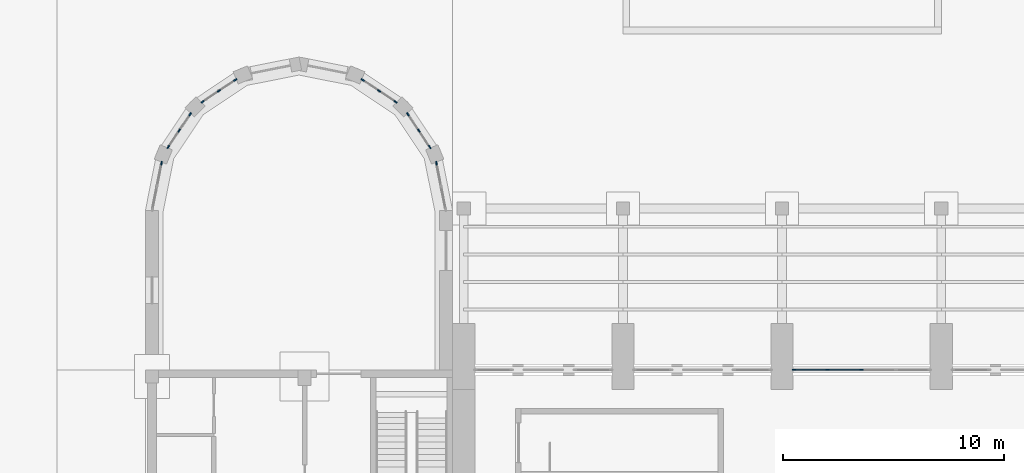
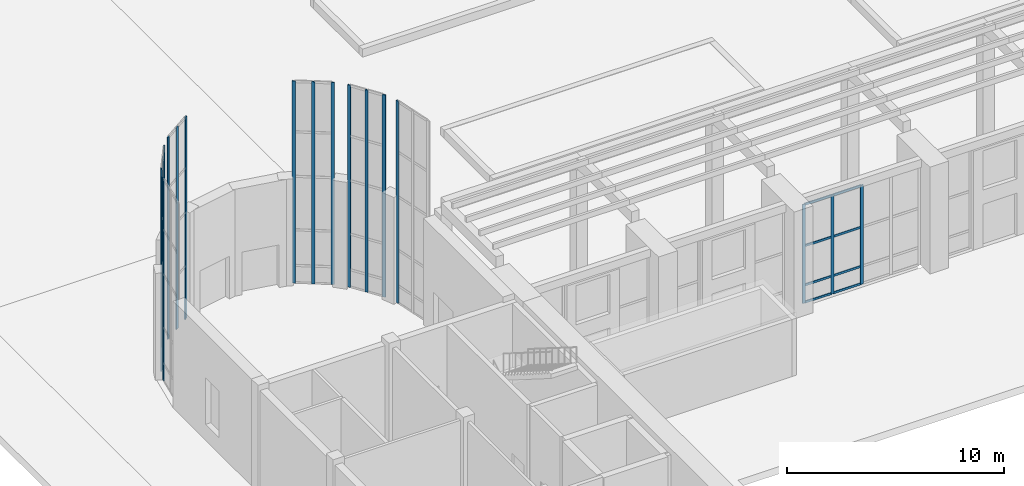
# One storey, part 14 of 70: 25 members, 7 elements without a shape of their own.
"""IFC4 building model written with IfcOpenShell, lengths in metres."""

from ifc_helpers import new_model, si_unit, direction, frame, origin, origin_2d, place, context, subcontext, project, spatial, rectangle, extrude, material, material_profile, profile_set, type_object, element, aggregate, save


model = new_model("IFC4")

# Units and contexts
model_context = context("Model", 3, precision=1e-05, world=origin(), true_north=direction((0.0, 1.0)))
body_context = subcontext(model_context, "Body", "Model", "MODEL_VIEW")
ifc_project = project(units=[si_unit("LENGTHUNIT", "METRE"), si_unit("AREAUNIT", "SQUARE_METRE"), si_unit("VOLUMEUNIT", "CUBIC_METRE"), si_unit("PLANEANGLEUNIT", "RADIAN"), si_unit("MASSUNIT", "GRAM", prefix="KILO")], contexts=[model_context])

# Site, building, storey
site_placement = place(None, origin())
site = spatial("IfcSite", under=ifc_project, at=site_placement, CompositionType="ELEMENT")
building_placement = place(site_placement, origin())
building = spatial("IfcBuilding", under=site, at=building_placement, Name="Vermilion Court Aquatics Centre", CompositionType="ELEMENT")
storey_placement = place(building_placement, origin())
storey = spatial("IfcBuildingStorey", under=building, at=storey_placement, Name="L00", CompositionType="ELEMENT", Elevation=0.0)

# Curtain wall, members
ifc_material_1 = material(Name="Aluminium 6063-T5", Category="aluminium")
curtain_wall_type_1 = type_object("IfcCurtainWallType", Name="Envelope curtain wall hall glazing L00", PredefinedType="NOTDEFINED", material=ifc_material_1)
curtain_wall_1_placement = place(storey_placement, origin())
curtain_wall_1 = element("IfcCurtainWall", 1, at=curtain_wall_1_placement, inside=storey, type_object=curtain_wall_type_1, Name="Hall glazing bay 3 L00", PredefinedType="NOTDEFINED")
ifc_material_2 = material(Name="Aluminium 6063-T5", Category="aluminium")
ifc_material_profile_1 = material_profile(ifc_material_2, rectangle(XDim=0.06005859375, YDim=0.159912109375, at=origin_2d()), Name="AL 60x160")
ifc_profile_set_1 = profile_set([ifc_material_profile_1], Name="Aluminium 6063-T5")
member_type_1 = type_object("IfcMemberType", Name="Envelope aluminium mullion 60x160", PredefinedType="MULLION", material=ifc_profile_set_1)
member_1_placement = place(storey_placement, frame((29.330078125, 64.800048828125, 0.0), z_axis=(0.0, 0.0, 1.0), x_axis=(0.0, 1.0, 0.0)))
member_1 = element("IfcMember", 2, at=member_1_placement, type_object=member_type_1, Name="ECW1 mullion 1", PredefinedType="MULLION", context=body_context, shape_type="SweptSolid", body=[
    extrude(rectangle(XDim=0.06005859375, YDim=0.159912109375, at=origin_2d()), origin(), (0.0, 0.0, 1.0), 5.550048828125),
])
member_2_placement = place(storey_placement, frame((30.85009765625, 64.800048828125, 0.0), z_axis=(0.0, 0.0, 1.0), x_axis=(0.0, 1.0, 0.0)))
member_2 = element("IfcMember", 3, at=member_2_placement, type_object=member_type_1, Name="ECW1 mullion 2", PredefinedType="MULLION", context=body_context, shape_type="SweptSolid", body=[
    extrude(rectangle(XDim=0.06005859375, YDim=0.159912109375, at=origin_2d()), origin(), (0.0, 0.0, 1.0), 5.550048828125),
])
member_3_placement = place(storey_placement, frame((32.39990234375, 64.800048828125, 0.0), z_axis=(0.0, 0.0, 1.0), x_axis=(0.0, 1.0, 0.0)))
member_3 = element("IfcMember", 4, at=member_3_placement, type_object=member_type_1, Name="ECW1 mullion 3", PredefinedType="MULLION", context=body_context, shape_type="SweptSolid", body=[
    extrude(rectangle(XDim=0.06005859375, YDim=0.159912109375, at=origin_2d()), origin(), (0.0, 0.0, 1.0), 5.550048828125),
])
ifc_material_3 = material(Name="Aluminium 6063-T5", Category="aluminium")
ifc_material_profile_2 = material_profile(ifc_material_3, rectangle(XDim=0.06005859375, YDim=0.1201171875, at=origin_2d()), Name="AL 60x120")
ifc_profile_set_2 = profile_set([ifc_material_profile_2], Name="Aluminium 6063-T5")
member_type_2 = type_object("IfcMemberType", Name="Envelope aluminium transom 60x120", PredefinedType="USERDEFINED", material=ifc_profile_set_2)
member_4_placement = place(storey_placement, frame((29.360107421875, 64.800048828125, 0.030029296875), z_axis=(1.0, 0.0, 0.0), x_axis=(0.0, 1.0, 0.0)))
member_4 = element("IfcMember", 5, at=member_4_placement, type_object=member_type_2, Name="ECW1 transom 1.1", ObjectType="TRANSOM", PredefinedType="USERDEFINED", context=body_context, shape_type="SweptSolid", body=[
    extrude(rectangle(XDim=0.06005859375, YDim=0.1201171875, at=origin_2d()), origin(), (0.0, 0.0, 1.0), 1.4599609375),
])
member_5_placement = place(storey_placement, frame((29.360107421875, 64.800048828125, 1.0), z_axis=(1.0, 0.0, 0.0), x_axis=(0.0, 1.0, 0.0)))
member_5 = element("IfcMember", 6, at=member_5_placement, type_object=member_type_2, Name="ECW1 transom 1.2", ObjectType="TRANSOM", PredefinedType="USERDEFINED", context=body_context, shape_type="SweptSolid", body=[
    extrude(rectangle(XDim=0.06005859375, YDim=0.1201171875, at=origin_2d()), origin(), (0.0, 0.0, 1.0), 1.4599609375),
])
member_6_placement = place(storey_placement, frame((29.360107421875, 64.800048828125, 3.199951171875), z_axis=(1.0, 0.0, 0.0), x_axis=(0.0, 1.0, 0.0)))
member_6 = element("IfcMember", 7, at=member_6_placement, type_object=member_type_2, Name="ECW1 transom 1.3", ObjectType="TRANSOM", PredefinedType="USERDEFINED", context=body_context, shape_type="SweptSolid", body=[
    extrude(rectangle(XDim=0.06005859375, YDim=0.1201171875, at=origin_2d()), origin(), (0.0, 0.0, 1.0), 1.4599609375),
])
member_7_placement = place(storey_placement, frame((29.360107421875, 64.800048828125, 5.52001953125), z_axis=(1.0, 0.0, 0.0), x_axis=(0.0, 1.0, 0.0)))
member_7 = element("IfcMember", 8, at=member_7_placement, type_object=member_type_2, Name="ECW1 transom 1.4", ObjectType="TRANSOM", PredefinedType="USERDEFINED", context=body_context, shape_type="SweptSolid", body=[
    extrude(rectangle(XDim=0.06005859375, YDim=0.1201171875, at=origin_2d()), origin(), (0.0, 0.0, 1.0), 1.4599609375),
])
member_8_placement = place(storey_placement, frame((30.8798828125, 64.800048828125, 0.030029296875), z_axis=(1.0, 0.0, 0.0), x_axis=(0.0, 1.0, 0.0)))
member_8 = element("IfcMember", 9, at=member_8_placement, type_object=member_type_2, Name="ECW1 transom 2.1", ObjectType="TRANSOM", PredefinedType="USERDEFINED", context=body_context, shape_type="SweptSolid", body=[
    extrude(rectangle(XDim=0.06005859375, YDim=0.1201171875, at=origin_2d()), origin(), (0.0, 0.0, 1.0), 1.490234375),
])
member_9_placement = place(storey_placement, frame((30.8798828125, 64.800048828125, 1.0), z_axis=(1.0, 0.0, 0.0), x_axis=(0.0, 1.0, 0.0)))
member_9 = element("IfcMember", 10, at=member_9_placement, type_object=member_type_2, Name="ECW1 transom 2.2", ObjectType="TRANSOM", PredefinedType="USERDEFINED", context=body_context, shape_type="SweptSolid", body=[
    extrude(rectangle(XDim=0.06005859375, YDim=0.1201171875, at=origin_2d()), origin(), (0.0, 0.0, 1.0), 1.490234375),
])
member_10_placement = place(storey_placement, frame((30.8798828125, 64.800048828125, 3.199951171875), z_axis=(1.0, 0.0, 0.0), x_axis=(0.0, 1.0, 0.0)))
member_10 = element("IfcMember", 11, at=member_10_placement, type_object=member_type_2, Name="ECW1 transom 2.3", ObjectType="TRANSOM", PredefinedType="USERDEFINED", context=body_context, shape_type="SweptSolid", body=[
    extrude(rectangle(XDim=0.06005859375, YDim=0.1201171875, at=origin_2d()), origin(), (0.0, 0.0, 1.0), 1.490234375),
])
member_11_placement = place(storey_placement, frame((30.8798828125, 64.800048828125, 5.52001953125), z_axis=(1.0, 0.0, 0.0), x_axis=(0.0, 1.0, 0.0)))
member_11 = element("IfcMember", 12, at=member_11_placement, type_object=member_type_2, Name="ECW1 transom 2.4", ObjectType="TRANSOM", PredefinedType="USERDEFINED", context=body_context, shape_type="SweptSolid", body=[
    extrude(rectangle(XDim=0.06005859375, YDim=0.1201171875, at=origin_2d()), origin(), (0.0, 0.0, 1.0), 1.490234375),
])
aggregate(curtain_wall_1, [member_1, member_2, member_3, member_4, member_5, member_6, member_7, member_8, member_9, member_10, member_11])

# Curtain wall, member
ifc_material_4 = material(Name="Aluminium 6063-T5", Category="aluminium")
curtain_wall_type_2 = type_object("IfcCurtainWallType", Name="Rotunda curtain wall", PredefinedType="NOTDEFINED", material=ifc_material_4)
curtain_wall_2_placement = place(storey_placement, origin())
curtain_wall_2 = element("IfcCurtainWall", 13, at=curtain_wall_2_placement, inside=storey, type_object=curtain_wall_type_2, Name="Rotunda curtain wall", PredefinedType="NOTDEFINED")
ifc_material_5 = material(Name="Aluminium 6063-T5", Category="aluminium")
ifc_material_profile_3 = material_profile(ifc_material_5, rectangle(XDim=0.06005859375, YDim=0.159912109375, at=origin_2d()), Name="Aluminium 60x160")
ifc_profile_set_3 = profile_set([ifc_material_profile_3], Name="Aluminium 6063-T5")
member_type_3 = type_object("IfcMemberType", Name="Foyer mullion 60x160", PredefinedType="MULLION", material=ifc_profile_set_3)
member_12_placement = place(storey_placement, frame((0.732177734375, 74.1435546875, 0.0), z_axis=(0.0, 0.0, 1.0), x_axis=(-0.980784278042, 0.195095361156, 0.0)))
member_12 = element("IfcMember", 14, at=member_12_placement, type_object=member_type_3, Name="HRT8 mullion 3", PredefinedType="MULLION", context=body_context, shape_type="SweptSolid", body=[
    extrude(rectangle(XDim=0.06005859375, YDim=0.159912109375, at=origin_2d()), origin(), (0.0, 0.0, 1.0), 11.35009765625),
])
aggregate(curtain_wall_2, [member_12])

# Curtain wall, members
curtain_wall_3_placement = place(storey_placement, origin())
curtain_wall_3 = element("IfcCurtainWall", 15, at=curtain_wall_3_placement, inside=storey, type_object=curtain_wall_type_2, Name="Rotunda curtain wall", PredefinedType="NOTDEFINED")
member_13_placement = place(storey_placement, frame((1.03759765625, 74.880859375, 0.0), z_axis=(0.0, 0.0, 1.0), x_axis=(-0.831489287601, 0.555540785725, 0.0)))
member_13 = element("IfcMember", 16, at=member_13_placement, type_object=member_type_3, Name="HRT8 mullion 1", PredefinedType="MULLION", context=body_context, shape_type="SweptSolid", body=[
    extrude(rectangle(XDim=0.06005859375, YDim=0.159912109375, at=origin_2d()), origin(), (0.0, 0.0, 1.0), 11.35009765625),
])
member_14_placement = place(storey_placement, frame((1.53173828125, 75.620361328125, 0.0), z_axis=(0.0, 0.0, 1.0), x_axis=(-0.831489287601, 0.555540785725, 0.0)))
member_14 = element("IfcMember", 17, at=member_14_placement, type_object=member_type_3, Name="HRT8 mullion 2", PredefinedType="MULLION", context=body_context, shape_type="SweptSolid", body=[
    extrude(rectangle(XDim=0.06005859375, YDim=0.159912109375, at=origin_2d()), origin(), (0.0, 0.0, 1.0), 11.35009765625),
])
member_15_placement = place(storey_placement, frame((2.02587890625, 76.35986328125, 0.0), z_axis=(0.0, 0.0, 1.0), x_axis=(-0.831489287601, 0.555540785725, 0.0)))
member_15 = element("IfcMember", 18, at=member_15_placement, type_object=member_type_3, Name="HRT8 mullion 3", PredefinedType="MULLION", context=body_context, shape_type="SweptSolid", body=[
    extrude(rectangle(XDim=0.06005859375, YDim=0.159912109375, at=origin_2d()), origin(), (0.0, 0.0, 1.0), 11.35009765625),
])
aggregate(curtain_wall_3, [member_13, member_14, member_15])

curtain_wall_4_placement = place(storey_placement, origin())
curtain_wall_4 = element("IfcCurtainWall", 19, at=curtain_wall_4_placement, inside=storey, type_object=curtain_wall_type_2, Name="Rotunda curtain wall", PredefinedType="NOTDEFINED")
member_16_placement = place(storey_placement, frame((2.590087890625, 76.924072265625, 0.0), z_axis=(0.0, 0.0, 1.0), x_axis=(-0.555540785725, 0.831489287601, 0.0)))
member_16 = element("IfcMember", 20, at=member_16_placement, type_object=member_type_3, Name="HRT8 mullion 1", PredefinedType="MULLION", context=body_context, shape_type="SweptSolid", body=[
    extrude(rectangle(XDim=0.06005859375, YDim=0.159912109375, at=origin_2d()), origin(), (0.0, 0.0, 1.0), 11.35009765625),
])
member_17_placement = place(storey_placement, frame((3.32958984375, 77.418212890625, 0.0), z_axis=(0.0, 0.0, 1.0), x_axis=(-0.555540785725, 0.831489287601, 0.0)))
member_17 = element("IfcMember", 21, at=member_17_placement, type_object=member_type_3, Name="HRT8 mullion 2", PredefinedType="MULLION", context=body_context, shape_type="SweptSolid", body=[
    extrude(rectangle(XDim=0.06005859375, YDim=0.159912109375, at=origin_2d()), origin(), (0.0, 0.0, 1.0), 11.35009765625),
])
member_18_placement = place(storey_placement, frame((4.069091796875, 77.912353515625, 0.0), z_axis=(0.0, 0.0, 1.0), x_axis=(-0.555540785725, 0.831489287601, 0.0)))
member_18 = element("IfcMember", 22, at=member_18_placement, type_object=member_type_3, Name="HRT8 mullion 3", PredefinedType="MULLION", context=body_context, shape_type="SweptSolid", body=[
    extrude(rectangle(XDim=0.06005859375, YDim=0.159912109375, at=origin_2d()), origin(), (0.0, 0.0, 1.0), 11.35009765625),
])
aggregate(curtain_wall_4, [member_16, member_17, member_18])

curtain_wall_5_placement = place(storey_placement, origin())
curtain_wall_5 = element("IfcCurtainWall", 23, at=curtain_wall_5_placement, inside=storey, type_object=curtain_wall_type_2, Name="Rotunda curtain wall", PredefinedType="NOTDEFINED")
member_19_placement = place(storey_placement, frame((9.830810546875, 77.912353515625, 0.0), z_axis=(0.0, 0.0, 1.0), x_axis=(0.555540785725, 0.831489287601, 0.0)))
member_19 = element("IfcMember", 24, at=member_19_placement, type_object=member_type_3, Name="HRT8 mullion 1", PredefinedType="MULLION", context=body_context, shape_type="SweptSolid", body=[
    extrude(rectangle(XDim=0.06005859375, YDim=0.159912109375, at=origin_2d()), origin(), (0.0, 0.0, 1.0), 11.35009765625),
])
member_20_placement = place(storey_placement, frame((10.5703125, 77.418212890625, 0.0), z_axis=(0.0, 0.0, 1.0), x_axis=(0.555540785725, 0.831489287601, 0.0)))
member_20 = element("IfcMember", 25, at=member_20_placement, type_object=member_type_3, Name="HRT8 mullion 2", PredefinedType="MULLION", context=body_context, shape_type="SweptSolid", body=[
    extrude(rectangle(XDim=0.06005859375, YDim=0.159912109375, at=origin_2d()), origin(), (0.0, 0.0, 1.0), 11.35009765625),
])
member_21_placement = place(storey_placement, frame((11.309814453125, 76.924072265625, 0.0), z_axis=(0.0, 0.0, 1.0), x_axis=(0.555540785725, 0.831489287601, 0.0)))
member_21 = element("IfcMember", 26, at=member_21_placement, type_object=member_type_3, Name="HRT8 mullion 3", PredefinedType="MULLION", context=body_context, shape_type="SweptSolid", body=[
    extrude(rectangle(XDim=0.06005859375, YDim=0.159912109375, at=origin_2d()), origin(), (0.0, 0.0, 1.0), 11.35009765625),
])
aggregate(curtain_wall_5, [member_19, member_20, member_21])

curtain_wall_6_placement = place(storey_placement, origin())
curtain_wall_6 = element("IfcCurtainWall", 27, at=curtain_wall_6_placement, inside=storey, type_object=curtain_wall_type_2, Name="Rotunda curtain wall", PredefinedType="NOTDEFINED")
member_22_placement = place(storey_placement, frame((11.874267578125, 76.35986328125, 0.0), z_axis=(0.0, 0.0, 1.0), x_axis=(0.831489287601, 0.555540785725, 0.0)))
member_22 = element("IfcMember", 28, at=member_22_placement, type_object=member_type_3, Name="HRT8 mullion 1", PredefinedType="MULLION", context=body_context, shape_type="SweptSolid", body=[
    extrude(rectangle(XDim=0.06005859375, YDim=0.159912109375, at=origin_2d()), origin(), (0.0, 0.0, 1.0), 11.35009765625),
])
member_23_placement = place(storey_placement, frame((12.3681640625, 75.620361328125, 0.0), z_axis=(0.0, 0.0, 1.0), x_axis=(0.831489287601, 0.555540785725, 0.0)))
member_23 = element("IfcMember", 29, at=member_23_placement, type_object=member_type_3, Name="HRT8 mullion 2", PredefinedType="MULLION", context=body_context, shape_type="SweptSolid", body=[
    extrude(rectangle(XDim=0.06005859375, YDim=0.159912109375, at=origin_2d()), origin(), (0.0, 0.0, 1.0), 11.35009765625),
])
member_24_placement = place(storey_placement, frame((12.8623046875, 74.880859375, 0.0), z_axis=(0.0, 0.0, 1.0), x_axis=(0.831489287601, 0.555540785725, 0.0)))
member_24 = element("IfcMember", 30, at=member_24_placement, type_object=member_type_3, Name="HRT8 mullion 3", PredefinedType="MULLION", context=body_context, shape_type="SweptSolid", body=[
    extrude(rectangle(XDim=0.06005859375, YDim=0.159912109375, at=origin_2d()), origin(), (0.0, 0.0, 1.0), 11.35009765625),
])
aggregate(curtain_wall_6, [member_22, member_23, member_24])

# Curtain wall, member
curtain_wall_7_placement = place(storey_placement, origin())
curtain_wall_7 = element("IfcCurtainWall", 31, at=curtain_wall_7_placement, inside=storey, type_object=curtain_wall_type_2, Name="Rotunda curtain wall", PredefinedType="NOTDEFINED")
member_25_placement = place(storey_placement, frame((13.167724609375, 74.1435546875, 0.0), z_axis=(0.0, 0.0, 1.0), x_axis=(0.980784278042, 0.195095361156, 0.0)))
member_25 = element("IfcMember", 32, at=member_25_placement, type_object=member_type_3, Name="HRT8 mullion 1", PredefinedType="MULLION", context=body_context, shape_type="SweptSolid", body=[
    extrude(rectangle(XDim=0.06005859375, YDim=0.159912109375, at=origin_2d()), origin(), (0.0, 0.0, 1.0), 11.35009765625),
])
aggregate(curtain_wall_7, [member_25])

save(model, "model.ifc")
